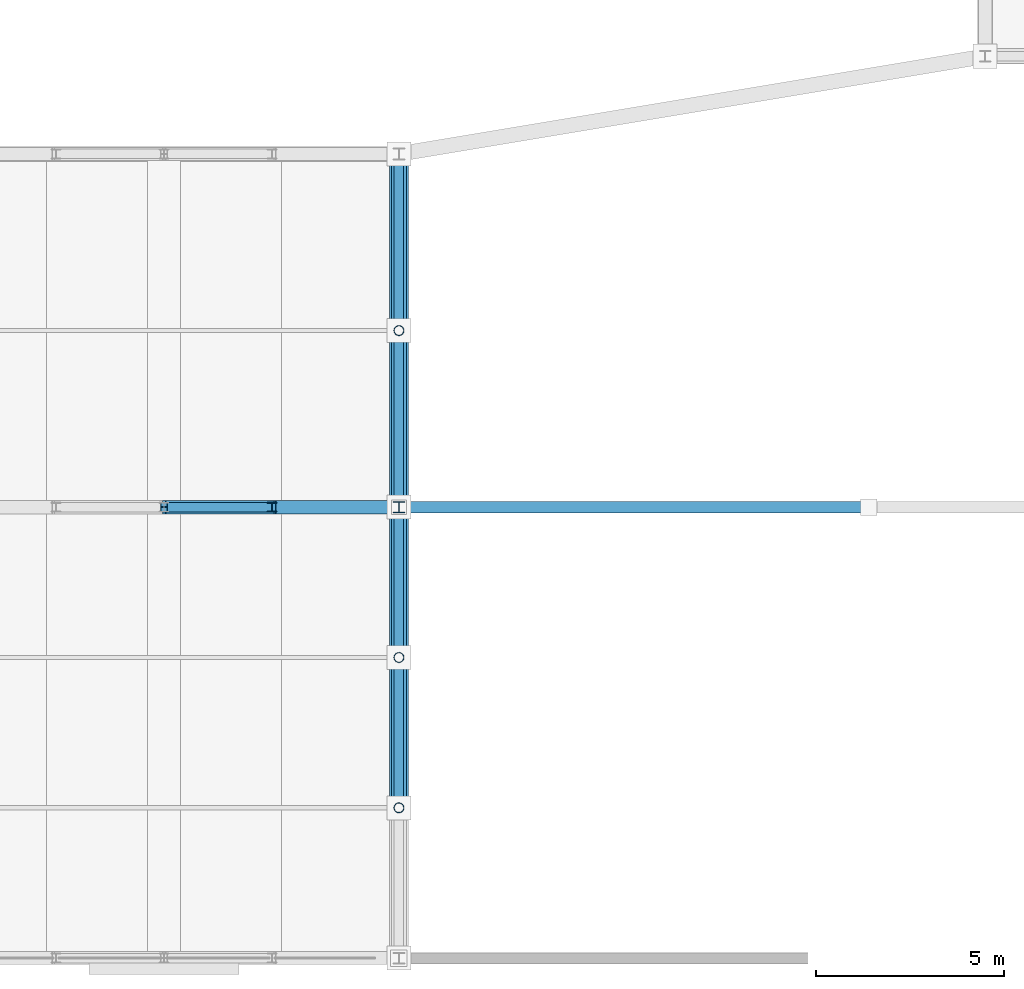
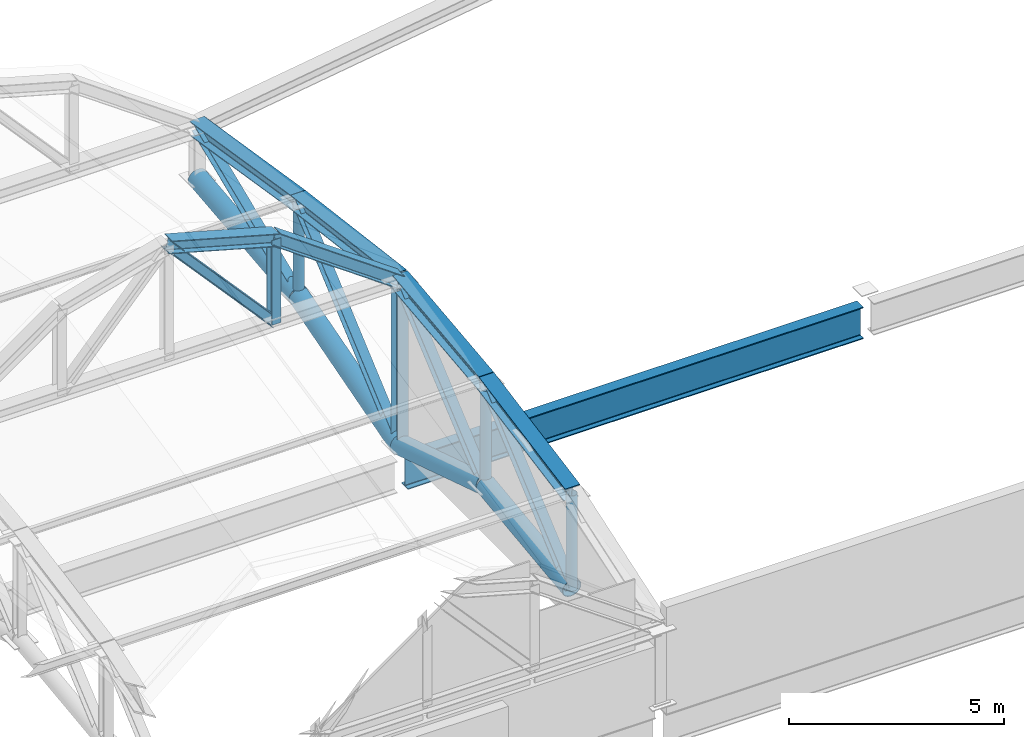
# One storey, part 54 of 117: 20 members, 1 beam.
"""IFC4 building model written with IfcOpenShell, lengths in metres."""

import ifcopenshell
import ifcopenshell.guid

model = None  # the IFC model being written
_history = None  # IfcOwnerHistory: only IFC2X3 demands one
_inside = {}  # id of a spatial element -> (the spatial element, [elements in it])
_under = {}  # id of a project, library or spatial element -> (it, [spatial elements below it])
_declared = {}  # id of a project -> (the project, [libraries it declares])
_typed = {}  # id of a type object -> (the type object, [elements of that type])
_made_of = {}  # id of a material, layer set ... -> (it, [elements and type objects made of it])


def new_model(schema):
    """Start an empty IFC model of exactly this schema.

    Asked for "IFC4X3", IfcOpenShell would pick the latest addendum, in which some entities
    have other attributes; the version numbers below select the first issue.
    IFC2X3 requires an IfcOwnerHistory on every rooted entity: one is made here for all.
    """
    global model, _history
    if schema == "IFC4X3":
        model = ifcopenshell.file(schema_version=(4, 3, 0, 0))
    else:
        model = ifcopenshell.file(schema=schema)
    _inside.clear()
    _under.clear()
    _declared.clear()
    _typed.clear()
    _made_of.clear()
    _history = None
    if model.schema == "IFC2X3":
        org = make("IfcOrganization", Name="unknown")
        user = make(
            "IfcPersonAndOrganization",
            ThePerson=make("IfcPerson", FamilyName="unknown"),
            TheOrganization=org,
        )
        app = make(
            "IfcApplication",
            ApplicationDeveloper=org,
            Version="unknown",
            ApplicationFullName="unknown",
            ApplicationIdentifier="unknown",
        )
        _history = make(
            "IfcOwnerHistory",
            OwningUser=user,
            OwningApplication=app,
            ChangeAction="ADDED",
            CreationDate=0,
        )
    return model


def make(cls, **values):
    """One entity of the class cls with the attributes given. An attribute that is None is left unset."""
    return model.create_entity(
        cls, **{name: value for name, value in values.items() if value is not None}
    )


def rooted(cls, **values):
    """An entity with a GlobalId (a new one), such as an element, a storey or a relation."""
    return make(cls, GlobalId=ifcopenshell.guid.new(), OwnerHistory=_history, **values)


def si_unit(unit_type, name, prefix=None):
    """IfcSIUnit, for example si_unit("LENGTHUNIT", "METRE", prefix="MILLI")."""
    return make("IfcSIUnit", UnitType=unit_type, Prefix=prefix, Name=name)


def assignment(units):
    """IfcUnitAssignment: the units of a project."""
    return None if units is None else make("IfcUnitAssignment", Units=units)


def point(xyz):
    """IfcCartesianPoint."""
    return None if xyz is None else make("IfcCartesianPoint", Coordinates=xyz)


def direction(xyz):
    """IfcDirection."""
    return None if xyz is None else make("IfcDirection", DirectionRatios=xyz)


def frame(location, z_axis=None, x_axis=None):
    """IfcAxis2Placement3D, a coordinate frame: its origin and axes. An axis left out is left unset."""
    return make(
        "IfcAxis2Placement3D",
        Location=point(location),
        Axis=direction(z_axis),
        RefDirection=direction(x_axis),
    )


def frame_2d(location, x_axis=None):
    """IfcAxis2Placement2D, a coordinate frame in the plane: its origin and x axis."""
    return make(
        "IfcAxis2Placement2D", Location=point(location), RefDirection=direction(x_axis)
    )


def origin():
    """The frame at (0, 0, 0) with its axes left unset."""
    return frame((0.0, 0.0, 0.0))


def origin_2d():
    """The frame at (0, 0) in the plane with its x axis left unset."""
    return frame_2d((0.0, 0.0))


def place(relative_to, where):
    """IfcLocalPlacement: puts the frame where relative to a parent placement (None: the world)."""
    return make(
        "IfcLocalPlacement", PlacementRelTo=relative_to, RelativePlacement=where
    )


def context(
    kind, dimensions, precision=None, world=None, true_north=None, identifier=None
):
    """IfcGeometricRepresentationContext, for example the 3D "Model" context."""
    return make(
        "IfcGeometricRepresentationContext",
        ContextIdentifier=identifier,
        ContextType=kind,
        CoordinateSpaceDimension=dimensions,
        Precision=precision,
        WorldCoordinateSystem=world,
        TrueNorth=true_north,
    )


def subcontext(parent, identifier, kind, view, scale=None):
    """IfcGeometricRepresentationSubContext, for example "Body" below "Model"."""
    return make(
        "IfcGeometricRepresentationSubContext",
        ContextIdentifier=identifier,
        ContextType=kind,
        ParentContext=parent,
        TargetScale=scale,
        TargetView=view,
    )


def project(units=None, contexts=None):
    """IfcProject with its units and contexts."""
    return rooted(
        "IfcProject",
        Name="project",
        RepresentationContexts=contexts,
        UnitsInContext=assignment(units),
    )


def spatial(cls, under=None, at=None, **own):
    """A site, building, storey or space (cls), placed at a placement, below another one or the project."""
    s = rooted(cls, ObjectPlacement=at, **own)
    if under is not None:
        _under.setdefault(under.id(), (under, []))[1].append(s)
    return s


def profile(cls, at=None, kind="AREA", **sizes):
    """A parametric profile (cls). Its sizes go by their IFC names, for example OverallWidth=200.0."""
    return make(cls, ProfileType=kind, Position=at, **sizes)


def hollow_circle(**sizes):
    """IfcCircleHollowProfileDef."""
    return profile("IfcCircleHollowProfileDef", **sizes)


def i_section(**sizes):
    """IfcIShapeProfileDef."""
    return profile("IfcIShapeProfileDef", **sizes)


def extrude(swept, where, along, depth):
    """IfcExtrudedAreaSolid: the profile swept, set in the frame where, extruded along a direction by depth."""
    return make(
        "IfcExtrudedAreaSolid",
        SweptArea=swept,
        Position=where,
        ExtrudedDirection=direction(along),
        Depth=depth,
    )


def shape(context_of_items, identifier, shape_type, items):
    """IfcShapeRepresentation: the items that make up one representation, for example the "Body"."""
    return make(
        "IfcShapeRepresentation",
        ContextOfItems=context_of_items,
        RepresentationIdentifier=identifier,
        RepresentationType=shape_type,
        Items=items,
    )


def material(Name=None, Category=None):
    """IfcMaterial."""
    return make("IfcMaterial", Name=Name, Category=Category)


def material_profile(
    of_material, cross_section, Name=None, Category=None, Priority=None
):
    """IfcMaterialProfile: a cross section and its material."""
    return make(
        "IfcMaterialProfile",
        Name=Name,
        Material=of_material,
        Profile=cross_section,
        Priority=Priority,
        Category=Category,
    )


def profile_set(profiles, Name=None, composite=None):
    """IfcMaterialProfileSet."""
    return make(
        "IfcMaterialProfileSet",
        Name=Name,
        MaterialProfiles=profiles,
        CompositeProfile=composite,
    )


def made_of(thing, what):
    """Note that an element or type object is made of a material, layer set ...; save() writes the relation."""
    if what is not None:
        _made_of.setdefault(what.id(), (what, []))[1].append(thing)
    return thing


def type_object(cls, material=None, **own):
    """A type object (cls), such as IfcWallType, which elements share."""
    return made_of(rooted(cls, **own), material)


def element(
    cls,
    number,
    at=None,
    inside=None,
    cuts=None,
    type_object=None,
    material=None,
    context=None,
    identifier="Body",
    shape_type=None,
    held_by="IfcProductDefinitionShape",
    body=None,
    shapes=None,
    **own,
):
    """One element of the class cls, such as IfcWall. Its Tag is "e" and its number.

    at: its placement. inside: the storey or other place that contains it. cuts: it is an
    opening in that element (IfcRelVoidsElement). A single representation is given by context,
    identifier, shape_type and body (its items); several are given by shapes. held_by: the class
    of the entity that holds the representations. save() writes the other relations.
    """
    e = rooted(cls, Tag="e%d" % number, ObjectPlacement=at, **own)
    if body is not None:
        shapes = [shape(context, identifier, shape_type, body)]
    if shapes is not None:
        e.Representation = make(held_by, Representations=shapes)
    if inside is not None:
        _inside.setdefault(inside.id(), (inside, []))[1].append(e)
    if cuts is not None:
        rooted(
            "IfcRelVoidsElement", RelatingBuildingElement=cuts, RelatedOpeningElement=e
        )
    if type_object is not None:
        _typed.setdefault(type_object.id(), (type_object, []))[1].append(e)
    return made_of(e, material)


def aggregate(whole, parts):
    """IfcRelAggregates: a whole, such as a stair, and the parts it consists of."""
    return rooted("IfcRelAggregates", RelatingObject=whole, RelatedObjects=parts)


def save(model, path):
    """Write the relations noted so far, then the file.

    IfcRelAggregates (storeys below a building ...), IfcRelContainedInSpatialStructure (elements
    in a storey), IfcRelDefinesByType, IfcRelAssociatesMaterial and IfcRelDeclares: one each for
    every whole, place, type object, material and project.
    """
    for whole, parts in _under.values():
        aggregate(whole, parts)
    for where, things in _inside.values():
        rooted(
            "IfcRelContainedInSpatialStructure",
            RelatedElements=things,
            RelatingStructure=where,
        )
    for kind, things in _typed.values():
        rooted("IfcRelDefinesByType", RelatedObjects=things, RelatingType=kind)
    for what, things in _made_of.values():
        rooted("IfcRelAssociatesMaterial", RelatedObjects=things, RelatingMaterial=what)
    for by, libraries in _declared.values():
        rooted("IfcRelDeclares", RelatingContext=by, RelatedDefinitions=libraries)
    model.write(path)


model = new_model("IFC4")

# Units and contexts
model_context = context("Model", 3, precision=1e-05, world=origin(), true_north=direction((0.0, 1.0)))
body_context = subcontext(model_context, "Body", "Model", "MODEL_VIEW")
ifc_project = project(units=[si_unit("LENGTHUNIT", "METRE"), si_unit("AREAUNIT", "SQUARE_METRE"), si_unit("VOLUMEUNIT", "CUBIC_METRE"), si_unit("PLANEANGLEUNIT", "RADIAN"), si_unit("MASSUNIT", "GRAM", prefix="KILO")], contexts=[model_context])

# Site, building, storey
site_placement = place(None, origin())
site = spatial("IfcSite", under=ifc_project, at=site_placement, CompositionType="ELEMENT")
building_placement = place(site_placement, origin())
building = spatial("IfcBuilding", under=site, at=building_placement, Name="Kazenohara Klinker Stadium", CompositionType="ELEMENT")
storey_placement = place(building_placement, frame((0.0, 0.0, 31.199951171875)))
storey = spatial("IfcBuildingStorey", under=building, at=storey_placement, Name="RF", CompositionType="ELEMENT", Elevation=31.199951171875)

# Members
ifc_material = material(Name="Steel S355", Category="steel")
ifc_material_profile_1 = material_profile(ifc_material, i_section(OverallWidth=0.25, OverallDepth=0.25, WebThickness=0.009033203125, FlangeThickness=0.013916015625, FilletRadius=0.012939453125, at=origin_2d()), Name="H-250x250x9x14")
ifc_profile_set_1 = profile_set([ifc_material_profile_1], Name="Steel S355")
member_type_1 = type_object("IfcMemberType", Name="MEM-BRC02", PredefinedType="BRACE", material=ifc_profile_set_1)
member_1_placement = place(storey_placement, frame((150.0, 28.0, 0.75), z_axis=(0.0, 0.757253091298, 0.653121547432), x_axis=(-1.0, 0.0, 0.0)))
element("IfcMember", 1, at=member_1_placement, inside=storey, type_object=member_type_1, Name="ROOF TRUSS RT-S08 web diagonal 2", PredefinedType="BRACE", context=body_context, shape_type="SweptSolid", body=[
    extrude(i_section(OverallWidth=0.25, OverallDepth=0.25, WebThickness=0.009033203125, FlangeThickness=0.013916015625, FilletRadius=0.012939453125, at=origin_2d()), origin(), (0.0, 0.0, 1.0), 5.2822265625),
])
member_2_placement = place(storey_placement, frame((150.0, 32.0, 1.25), z_axis=(0.0, 0.761925548551, 0.647664618815), x_axis=(-1.0, 0.0, 0.0)))
element("IfcMember", 2, at=member_2_placement, inside=storey, type_object=member_type_1, Name="ROOF TRUSS RT-S08 web diagonal 3", PredefinedType="BRACE", context=body_context, shape_type="SweptSolid", body=[
    extrude(i_section(OverallWidth=0.25, OverallDepth=0.25, WebThickness=0.009033203125, FlangeThickness=0.013916015625, FilletRadius=0.012939453125, at=origin_2d()), origin(), (0.0, 0.0, 1.0), 5.249755859375),
])
member_3_placement = place(storey_placement, frame((150.0, 36.0, -0.02001953125), z_axis=(0.0, 0.755945561544, 0.65463448426), x_axis=(-1.0, 0.0, 0.0)))
element("IfcMember", 3, at=member_3_placement, inside=storey, type_object=member_type_1, Name="ROOF TRUSS RT-S08 web diagonal 4", PredefinedType="BRACE", context=body_context, shape_type="SweptSolid", body=[
    extrude(i_section(OverallWidth=0.25, OverallDepth=0.25, WebThickness=0.009033203125, FlangeThickness=0.013916015625, FilletRadius=0.012939453125, at=origin_2d()), origin(), (0.0, 0.0, 1.0), 6.21728515625),
])
member_4_placement = place(storey_placement, frame((150.0, 40.699951171875, 1.35009765625), z_axis=(0.0, 0.923659284192, 0.383214726655), x_axis=(-1.0, 0.0, 0.0)))
element("IfcMember", 4, at=member_4_placement, inside=storey, type_object=member_type_1, Name="ROOF TRUSS RT-S08 web diagonal 5", PredefinedType="BRACE", context=body_context, shape_type="SweptSolid", body=[
    extrude(i_section(OverallWidth=0.25, OverallDepth=0.25, WebThickness=0.009033203125, FlangeThickness=0.013916015625, FilletRadius=0.012939453125, at=origin_2d()), origin(), (0.0, 0.0, 1.0), 5.08837890625),
])
ifc_material_profile_2 = material_profile(ifc_material, i_section(OverallWidth=0.39990234375, OverallDepth=0.39990234375, WebThickness=0.012939453125, FlangeThickness=0.02099609375, FilletRadius=0.02197265625, at=origin_2d()), Name="H-400x400x13x21")
ifc_profile_set_2 = profile_set([ifc_material_profile_2], Name="Steel S355")
member_type_2 = type_object("IfcMemberType", Name="MEM-CHD01", PredefinedType="CHORD", material=ifc_profile_set_2)
member_5_placement = place(storey_placement, frame((150.0, 28.0, 3.449951171875), z_axis=(0.0, 0.982872186934, 0.18428853505), x_axis=(-1.0, 0.0, 0.0)))
element("IfcMember", 5, at=member_5_placement, inside=storey, type_object=member_type_2, Name="ROOF TRUSS RT-S08 top arched chord 2", PredefinedType="CHORD", context=body_context, shape_type="SweptSolid", body=[
    extrude(i_section(OverallWidth=0.39990234375, OverallDepth=0.39990234375, WebThickness=0.012939453125, FlangeThickness=0.02099609375, FilletRadius=0.02197265625, at=origin_2d()), origin(), (0.0, 0.0, 1.0), 4.06982421875),
])
member_6_placement = place(storey_placement, frame((150.0, 32.0, 4.199951171875), z_axis=(0.0, 0.993725924527, 0.111842688283), x_axis=(-1.0, 0.0, 0.0)))
element("IfcMember", 6, at=member_6_placement, inside=storey, type_object=member_type_2, Name="ROOF TRUSS RT-S08 top arched chord 3", PredefinedType="CHORD", context=body_context, shape_type="SweptSolid", body=[
    extrude(i_section(OverallWidth=0.39990234375, OverallDepth=0.39990234375, WebThickness=0.012939453125, FlangeThickness=0.02099609375, FilletRadius=0.02197265625, at=origin_2d()), origin(), (0.0, 0.0, 1.0), 4.025146484375),
])
member_7_placement = place(storey_placement, frame((150.0, 36.0, 4.650146484375), z_axis=(0.0, 0.99194702514, -0.126653461524), x_axis=(-1.0, 0.0, 0.0)))
element("IfcMember", 7, at=member_7_placement, inside=storey, type_object=member_type_2, Name="ROOF TRUSS RT-S08 top arched chord 4", PredefinedType="CHORD", context=body_context, shape_type="SweptSolid", body=[
    extrude(i_section(OverallWidth=0.39990234375, OverallDepth=0.39990234375, WebThickness=0.012939453125, FlangeThickness=0.02099609375, FilletRadius=0.02197265625, at=origin_2d()), origin(), (0.0, 0.0, 1.0), 4.738037109375),
])
member_8_placement = place(storey_placement, frame((150.0, 40.699951171875, 4.050048828125), z_axis=(0.0, 0.987505848374, -0.157582357602), x_axis=(-1.0, 0.0, 0.0)))
element("IfcMember", 8, at=member_8_placement, inside=storey, type_object=member_type_2, Name="ROOF TRUSS RT-S08 top arched chord 5", PredefinedType="CHORD", context=body_context, shape_type="SweptSolid", body=[
    extrude(i_section(OverallWidth=0.39990234375, OverallDepth=0.39990234375, WebThickness=0.012939453125, FlangeThickness=0.02099609375, FilletRadius=0.02197265625, at=origin_2d()), origin(), (0.0, 0.0, 1.0), 4.759521484375),
])
ifc_material_profile_3 = material_profile(ifc_material, i_section(OverallWidth=0.35009765625, OverallDepth=0.35009765625, WebThickness=0.011962890625, FlangeThickness=0.01904296875, FilletRadius=0.012939453125, at=origin_2d()), Name="H-350x350x12x19")
ifc_profile_set_3 = profile_set([ifc_material_profile_3], Name="Steel S355")
member_type_3 = type_object("IfcMemberType", Name="MEM-CHD02", PredefinedType="CHORD", material=ifc_profile_set_3)
member_9_placement = place(storey_placement, frame((143.75, 36.0, 7.85009765625), z_axis=(0.963393567269, 0.0, -0.268091093745), x_axis=(0.0, 1.0, 0.0)))
element("IfcMember", 9, at=member_9_placement, inside=storey, type_object=member_type_3, Name="Barrel arch top rib TC02 S-07-N3-S3", PredefinedType="CHORD", context=body_context, shape_type="SweptSolid", body=[
    extrude(i_section(OverallWidth=0.35009765625, OverallDepth=0.35009765625, WebThickness=0.011962890625, FlangeThickness=0.01904296875, FilletRadius=0.012939453125, at=origin_2d()), origin(), (0.0, 0.0, 1.0), 2.984130859375),
])
member_10_placement = place(storey_placement, frame((146.625, 36.0, 7.050048828125), z_axis=(0.814966461491, 0.0, -0.579508124744), x_axis=(0.0, 1.0, 0.0)))
element("IfcMember", 10, at=member_10_placement, inside=storey, type_object=member_type_3, Name="Barrel arch top rib TC02 S-07-N3-S4", PredefinedType="CHORD", context=body_context, shape_type="SweptSolid", body=[
    extrude(i_section(OverallWidth=0.35009765625, OverallDepth=0.35009765625, WebThickness=0.011962890625, FlangeThickness=0.01904296875, FilletRadius=0.012939453125, at=origin_2d()), origin(), (0.0, 0.0, 1.0), 4.141357421875),
])
ifc_material_profile_4 = material_profile(ifc_material, hollow_circle(Radius=0.25390625, WallThickness=0.01611328125, at=origin_2d()), Name="CHS-508.0x16")
ifc_profile_set_4 = profile_set([ifc_material_profile_4], Name="Steel S355")
member_type_4 = type_object("IfcMemberType", Name="MEM-CHD04", PredefinedType="CHORD", material=ifc_profile_set_4)
member_11_placement = place(storey_placement, frame((150.0, 28.0, 0.75), z_axis=(0.0, 0.992277876714, 0.124034734589), x_axis=(-1.0, 0.0, 0.0)))
element("IfcMember", 11, at=member_11_placement, inside=storey, type_object=member_type_4, Name="ROOF TRUSS RT-S08 bottom arched chord 2", PredefinedType="CHORD", context=body_context, shape_type="SweptSolid", body=[
    extrude(hollow_circle(Radius=0.25390625, WallThickness=0.01611328125, at=origin_2d()), origin(), (0.0, 0.0, 1.0), 4.03125),
])
member_12_placement = place(storey_placement, frame((150.0, 32.0, 1.25), z_axis=(0.0, 0.953112016541, -0.302617719119), x_axis=(-1.0, 0.0, 0.0)))
element("IfcMember", 12, at=member_12_placement, inside=storey, type_object=member_type_4, Name="ROOF TRUSS RT-S08 bottom arched chord 3", PredefinedType="CHORD", context=body_context, shape_type="SweptSolid", body=[
    extrude(hollow_circle(Radius=0.25390625, WallThickness=0.01611328125, at=origin_2d()), origin(), (0.0, 0.0, 1.0), 4.19677734375),
])
member_13_placement = place(storey_placement, frame((150.0, 36.0, -0.02001953125), z_axis=(0.0, 0.960038530088, 0.279867863012), x_axis=(-1.0, 0.0, 0.0)))
element("IfcMember", 13, at=member_13_placement, inside=storey, type_object=member_type_4, Name="ROOF TRUSS RT-S08 bottom arched chord 4", PredefinedType="CHORD", context=body_context, shape_type="SweptSolid", body=[
    extrude(hollow_circle(Radius=0.25390625, WallThickness=0.01611328125, at=origin_2d()), origin(), (0.0, 0.0, 1.0), 4.8955078125),
])
member_14_placement = place(storey_placement, frame((150.0, 40.699951171875, 1.35009765625), z_axis=(0.0, 0.99438879757, 0.105787141313), x_axis=(-1.0, 0.0, 0.0)))
element("IfcMember", 14, at=member_14_placement, inside=storey, type_object=member_type_4, Name="ROOF TRUSS RT-S08 bottom arched chord 5", PredefinedType="CHORD", context=body_context, shape_type="SweptSolid", body=[
    extrude(hollow_circle(Radius=0.25390625, WallThickness=0.01611328125, at=origin_2d()), origin(), (0.0, 0.0, 1.0), 4.7265625),
])
ifc_material_profile_5 = material_profile(ifc_material, i_section(OverallWidth=0.300048828125, OverallDepth=0.300048828125, WebThickness=0.010009765625, FlangeThickness=0.014892578125, FilletRadius=0.012939453125, at=origin_2d()), Name="H-300x300x10x15")
ifc_profile_set_5 = profile_set([ifc_material_profile_5], Name="Steel S355")
member_type_5 = type_object("IfcMemberType", Name="MEM-STR01", PredefinedType="STRUT", material=ifc_profile_set_5)
member_15_placement = place(storey_placement, frame((150.0, 36.0, -0.02001953125), z_axis=(0.0, 0.0, 1.0), x_axis=(1.0, 0.0, 0.0)))
element("IfcMember", 15, at=member_15_placement, inside=storey, type_object=member_type_5, Name="ROOF TRUSS RT-S08 web post 4", PredefinedType="STRUT", context=body_context, shape_type="SweptSolid", body=[
    extrude(i_section(OverallWidth=0.300048828125, OverallDepth=0.300048828125, WebThickness=0.010009765625, FlangeThickness=0.014892578125, FilletRadius=0.012939453125, at=origin_2d()), origin(), (0.0, 0.0, 1.0), 4.670166015625),
])
ifc_material_profile_6 = material_profile(ifc_material, i_section(OverallWidth=0.25, OverallDepth=0.25, WebThickness=0.009033203125, FlangeThickness=0.013916015625, FilletRadius=0.012939453125, at=origin_2d()), Name="H-250x250x9x14")
ifc_profile_set_6 = profile_set([ifc_material_profile_6], Name="Steel S355")
member_type_6 = type_object("IfcMemberType", Name="MEM-STR02", PredefinedType="STRUT", material=ifc_profile_set_6)
member_16_placement = place(storey_placement, frame((146.625, 36.0, 4.650146484375), z_axis=(0.0, 0.0, 1.0), x_axis=(1.0, 0.0, 0.0)))
element("IfcMember", 16, at=member_16_placement, inside=storey, type_object=member_type_6, Name="Barrel arch web post TS02 S-07-N3-P3", PredefinedType="STRUT", context=body_context, shape_type="SweptSolid", body=[
    extrude(i_section(OverallWidth=0.25, OverallDepth=0.25, WebThickness=0.009033203125, FlangeThickness=0.013916015625, FilletRadius=0.012939453125, at=origin_2d()), origin(), (0.0, 0.0, 1.0), 2.39990234375),
])
member_17_placement = place(storey_placement, frame((146.625, 36.0, 4.650146484375), z_axis=(-0.668327970369, 0.0, 0.74386673808), x_axis=(0.0, -1.0, 0.0)))
element("IfcMember", 17, at=member_17_placement, inside=storey, type_object=member_type_6, Name="Barrel arch web diagonal TS02 S-07-N3-D2", PredefinedType="STRUT", context=body_context, shape_type="SweptSolid", body=[
    extrude(i_section(OverallWidth=0.25, OverallDepth=0.25, WebThickness=0.009033203125, FlangeThickness=0.013916015625, FilletRadius=0.012939453125, at=origin_2d()), origin(), (0.0, 0.0, 1.0), 4.3017578125),
])
ifc_material_profile_7 = material_profile(ifc_material, hollow_circle(Radius=0.1337890625, WallThickness=0.009033203125, at=origin_2d()), Name="CHS-267.4x9")
ifc_profile_set_7 = profile_set([ifc_material_profile_7], Name="Steel S355")
member_type_7 = type_object("IfcMemberType", Name="MEM-STR03", PredefinedType="STRUT", material=ifc_profile_set_7)
member_18_placement = place(storey_placement, frame((150.0, 28.0, 0.75), z_axis=(0.0, 0.0, 1.0), x_axis=(1.0, 0.0, 0.0)))
element("IfcMember", 18, at=member_18_placement, inside=storey, type_object=member_type_7, Name="ROOF TRUSS RT-S08 web post 2", PredefinedType="STRUT", context=body_context, shape_type="SweptSolid", body=[
    extrude(hollow_circle(Radius=0.1337890625, WallThickness=0.009033203125, at=origin_2d()), origin(), (0.0, 0.0, 1.0), 2.699951171875),
])
member_19_placement = place(storey_placement, frame((150.0, 32.0, 1.25), z_axis=(0.0, 0.0, 1.0), x_axis=(1.0, 0.0, 0.0)))
element("IfcMember", 19, at=member_19_placement, inside=storey, type_object=member_type_7, Name="ROOF TRUSS RT-S08 web post 3", PredefinedType="STRUT", context=body_context, shape_type="SweptSolid", body=[
    extrude(hollow_circle(Radius=0.1337890625, WallThickness=0.009033203125, at=origin_2d()), origin(), (0.0, 0.0, 1.0), 2.949951171875),
])
member_20_placement = place(storey_placement, frame((150.0, 40.699951171875, 1.35009765625), z_axis=(0.0, 0.0, 1.0), x_axis=(1.0, 0.0, 0.0)))
element("IfcMember", 20, at=member_20_placement, inside=storey, type_object=member_type_7, Name="ROOF TRUSS RT-S08 web post 5", PredefinedType="STRUT", context=body_context, shape_type="SweptSolid", body=[
    extrude(hollow_circle(Radius=0.1337890625, WallThickness=0.009033203125, at=origin_2d()), origin(), (0.0, 0.0, 1.0), 2.699951171875),
])

# Beam
ifc_material_profile_8 = material_profile(ifc_material, i_section(OverallWidth=0.300048828125, OverallDepth=0.89990234375, WebThickness=0.01611328125, FlangeThickness=0.028076171875, FilletRadius=0.02197265625, at=origin_2d()), Name="H-900x300x16x28")
ifc_profile_set_8 = profile_set([ifc_material_profile_8], Name="Steel S355")
beam_type = type_object("IfcBeamType", Name="RING-RB01", PredefinedType="USERDEFINED", material=ifc_profile_set_8)
beam_placement = place(storey_placement, frame((150.139892578125, 36.0, -0.820068359375), z_axis=(1.0, 0.0, 0.0), x_axis=(0.0, 1.0, 0.0)))
element("IfcBeam", 21, at=beam_placement, inside=storey, type_object=beam_type, Name="Roof ring beam RB01 S-IN 13-14", ObjectType="RING BEAM", PredefinedType="USERDEFINED", context=body_context, shape_type="SweptSolid", body=[
    extrude(i_section(OverallWidth=0.300048828125, OverallDepth=0.89990234375, WebThickness=0.01611328125, FlangeThickness=0.028076171875, FilletRadius=0.02197265625, at=origin_2d()), origin(), (0.0, 0.0, 1.0), 12.22021484375),
])

save(model, "model.ifc")
